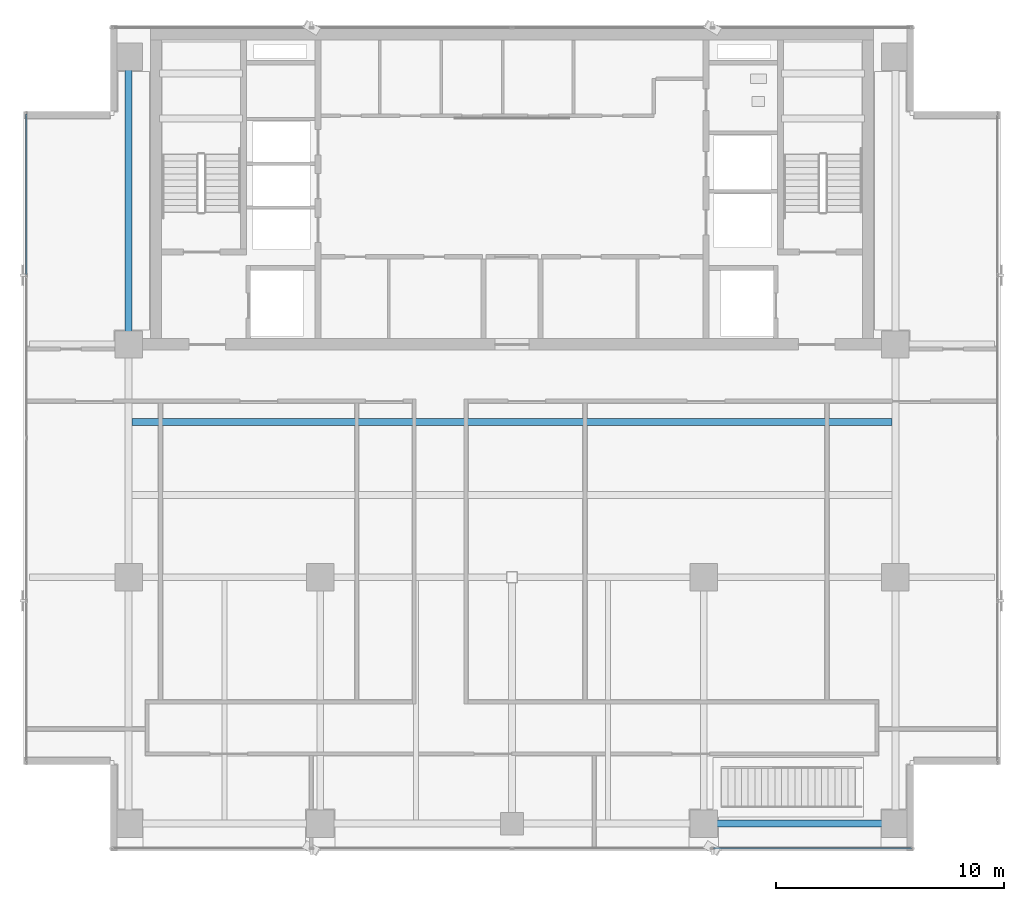
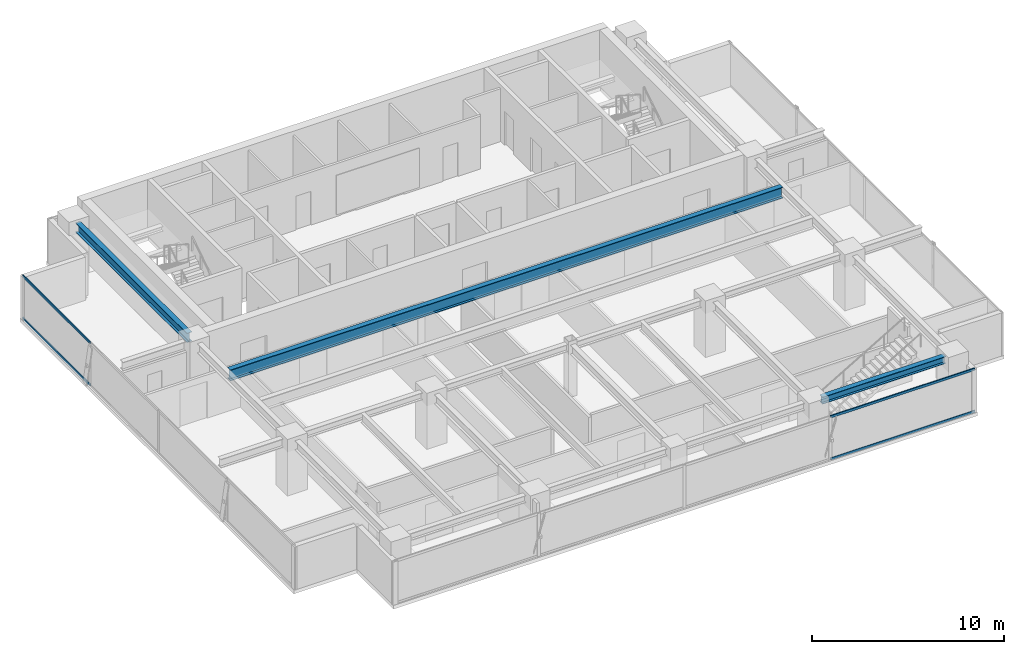
# One storey, part 7 of 22: 4 members, 3 beams, 2 elements without a shape of their own.
"""IFC4 building model written with IfcOpenShell, lengths in metres."""

from ifc_helpers import new_model, si_unit, direction, frame, origin, origin_2d, place, context, subcontext, project, spatial, hollow_rectangle, i_section, extrude, source, transform, mapped, material, layer, layer_set, material_profile, profile_set, type_object, element, aggregate, save


model = new_model("IFC4")

# Units and contexts
model_context = context("Model", 3, precision=1e-05, world=origin(), true_north=direction((0.0, 1.0)))
body_context = subcontext(model_context, "Body", "Model", "MODEL_VIEW")
ifc_project = project(units=[si_unit("LENGTHUNIT", "METRE"), si_unit("AREAUNIT", "SQUARE_METRE"), si_unit("VOLUMEUNIT", "CUBIC_METRE"), si_unit("PLANEANGLEUNIT", "RADIAN"), si_unit("MASSUNIT", "GRAM", prefix="KILO")], contexts=[model_context])

# Site, building, storey
site_placement = place(None, origin())
site = spatial("IfcSite", under=ifc_project, at=site_placement, CompositionType="ELEMENT")
building_placement = place(site_placement, origin())
building = spatial("IfcBuilding", under=site, at=building_placement, Name="Sumidabori Civic Tower", CompositionType="ELEMENT")
storey_placement = place(building_placement, frame((0.0, 0.0, 286.39990234375)))
storey = spatial("IfcBuildingStorey", under=building, at=storey_placement, Name="L75", CompositionType="ELEMENT", Elevation=286.39990234375)

# Beams
ifc_material_1 = material(Name="Steel SN490", Category="steel")
ifc_material_profile_1 = material_profile(ifc_material_1, i_section(OverallWidth=0.300048828125, OverallDepth=0.60009765625, WebThickness=0.015380859375, FlangeThickness=0.030029296875, at=origin_2d()), Name="HE 600 B")
ifc_profile_set_1 = profile_set([ifc_material_profile_1], Name="Steel SN490")
beam_type_1 = type_object("IfcBeamType", Name="BM-GIRD-600", PredefinedType="BEAM", material=ifc_profile_set_1)
shared_shape_1 = source(origin(), body_context, "Body", "SweptSolid", [
    extrude(i_section(OverallWidth=0.300048828125, OverallDepth=0.60009765625, WebThickness=0.015380859375, FlangeThickness=0.030029296875, at=origin_2d()), origin(), (0.0, 0.0, 1.0), 11.64013671875),
])
beam_1_placement = place(storey_placement, frame((-16.800048828125, 10.679931640625, 3.070068359375), z_axis=(0.0, 1.0, 0.0), x_axis=(-1.0, 0.0, 0.0)))
element("IfcBeam", 1, at=beam_1_placement, inside=storey, type_object=beam_type_1, Name="Primary Girder L75 GY-11", PredefinedType="BEAM", context=body_context, shape_type="MappedRepresentation", body=[
    mapped(shared_shape_1, transform((0.0, 0.0, 0.0), x_axis=(1.0, 0.0, 0.0), y_axis=(0.0, 1.0, 0.0), z_axis=(0.0, 0.0, 1.0), scale=1.0)),
])
ifc_material_profile_2 = material_profile(ifc_material_1, i_section(OverallWidth=0.300048828125, OverallDepth=0.699951171875, WebThickness=0.01708984375, FlangeThickness=0.031982421875, at=origin_2d()), Name="HE 700 B")
ifc_profile_set_2 = profile_set([ifc_material_profile_2], Name="Steel SN490")
beam_type_2 = type_object("IfcBeamType", Name="BM-GIRD-700", PredefinedType="BEAM", material=ifc_profile_set_2)
shared_shape_2 = source(origin(), body_context, "Body", "SweptSolid", [
    extrude(i_section(OverallWidth=0.300048828125, OverallDepth=0.699951171875, WebThickness=0.01708984375, FlangeThickness=0.031982421875, at=origin_2d()), origin(), (0.0, 0.0, 1.0), 33.2998046875),
])
beam_2_placement = place(storey_placement, frame((-16.64990234375, 6.800048828125, 3.02001953125), z_axis=(1.0, 0.0, 0.0), x_axis=(0.0, 1.0, 0.0)))
element("IfcBeam", 2, at=beam_2_placement, inside=storey, type_object=beam_type_2, Name="North Bay Floor Beam L75 JSTN-23", PredefinedType="BEAM", context=body_context, shape_type="MappedRepresentation", body=[
    mapped(shared_shape_2, transform((0.0, 0.0, 0.0), x_axis=(1.0, 0.0, 0.0), y_axis=(0.0, 1.0, 0.0), z_axis=(0.0, 0.0, 1.0), scale=1.0)),
])
ifc_material_profile_3 = material_profile(ifc_material_1, i_section(OverallWidth=0.300048828125, OverallDepth=0.449951171875, WebThickness=0.013916015625, FlangeThickness=0.02587890625, at=origin_2d()), Name="HE 450 B")
ifc_profile_set_3 = profile_set([ifc_material_profile_3], Name="Steel SN490")
beam_type_3 = type_object("IfcBeamType", Name="BM-GIRD-450", PredefinedType="BEAM", material=ifc_profile_set_3)
shared_shape_3 = source(origin(), body_context, "Body", "SweptSolid", [
    extrude(i_section(OverallWidth=0.300048828125, OverallDepth=0.449951171875, WebThickness=0.013916015625, FlangeThickness=0.02587890625, at=origin_2d()), origin(), (0.0, 0.0, 1.0), 7.440185546875),
])
beam_3_placement = place(storey_placement, frame((8.8798828125, -10.800048828125, 3.14501953125), z_axis=(1.0, 0.0, 0.0), x_axis=(0.0, 1.0, 0.0)))
element("IfcBeam", 3, at=beam_3_placement, inside=storey, type_object=beam_type_3, Name="Primary Girder L75 GX-04", PredefinedType="BEAM", context=body_context, shape_type="MappedRepresentation", body=[
    mapped(shared_shape_3, transform((0.0, 0.0, 0.0), x_axis=(1.0, 0.0, 0.0), y_axis=(0.0, 1.0, 0.0), z_axis=(0.0, 0.0, 1.0), scale=1.0)),
])

# Curtain wall, members
ifc_material_2 = material(Name="Anodised Bronze Aluminium AW-6063-T6", Category="aluminium")
ifc_layer = layer(ifc_material_2, 0.179931640625, Name="Anodised Bronze Aluminium AW-6063-T6")
ifc_layer_set = layer_set([ifc_layer], Name="Anodised Bronze Aluminium AW-6063-T6")
curtain_wall_type = type_object("IfcCurtainWallType", Name="CW-SYS-6", PredefinedType="NOTDEFINED", material=ifc_layer_set)
curtain_wall_1_placement = place(storey_placement, origin())
curtain_wall_1 = element("IfcCurtainWall", 4, at=curtain_wall_1_placement, inside=storey, type_object=curtain_wall_type, Name="Curtain Wall CW:L75:R01", PredefinedType="NOTDEFINED")
ifc_material_profile_4 = material_profile(ifc_material_2, hollow_rectangle(XDim=0.06494140625, YDim=0.14990234375, WallThickness=0.0048828125, at=origin_2d()), Name="ALU TRANSOM 150x65")
ifc_profile_set_4 = profile_set([ifc_material_profile_4], Name="Anodised Bronze Aluminium AW-6063-T6")
member_type = type_object("IfcMemberType", Name="CW-TRN-150", PredefinedType="USERDEFINED", material=ifc_profile_set_4)
shared_shape_4 = source(origin(), body_context, "Body", "SweptSolid", [
    extrude(hollow_rectangle(XDim=0.06494140625, YDim=0.14990234375, WallThickness=0.0048828125, at=origin_2d()), origin(), (0.0, 0.0, 1.0), 8.679931640625),
])
member_1_placement = place(storey_placement, frame((8.820068359375, -11.8798828125, 0.03271484375), z_axis=(1.0, 0.0, 0.0), x_axis=(0.0, 1.0, 0.0)))
member_1 = element("IfcMember", 5, at=member_1_placement, type_object=member_type, Name="CW-6 transom 4.1", ObjectType="TRANSOM", PredefinedType="USERDEFINED", context=body_context, shape_type="MappedRepresentation", body=[
    mapped(shared_shape_4, transform((0.0, 0.0, 0.0), x_axis=(1.0, 0.0, 0.0), y_axis=(0.0, 1.0, 0.0), z_axis=(0.0, 0.0, 1.0), scale=1.0)),
])
member_2_placement = place(storey_placement, frame((8.820068359375, -11.8798828125, 2.717529296875), z_axis=(1.0, 0.0, 0.0), x_axis=(0.0, 1.0, 0.0)))
member_2 = element("IfcMember", 6, at=member_2_placement, type_object=member_type, Name="CW-6 transom 4.2", ObjectType="TRANSOM", PredefinedType="USERDEFINED", context=body_context, shape_type="MappedRepresentation", body=[
    mapped(shared_shape_4, transform((0.0, 0.0, 0.0), x_axis=(1.0, 0.0, 0.0), y_axis=(0.0, 1.0, 0.0), z_axis=(0.0, 0.0, 1.0), scale=1.0)),
])
aggregate(curtain_wall_1, [member_1, member_2])

curtain_wall_2_placement = place(storey_placement, origin())
curtain_wall_2 = element("IfcCurtainWall", 7, at=curtain_wall_2_placement, inside=storey, type_object=curtain_wall_type, Name="Curtain Wall CW:L75:R10", PredefinedType="NOTDEFINED")
shared_shape_5 = source(origin(), body_context, "Body", "SweptSolid", [
    extrude(hollow_rectangle(XDim=0.06494140625, YDim=0.14990234375, WallThickness=0.0048828125, at=origin_2d()), origin(), (0.0, 0.0, 1.0), 7.030029296875),
])
member_3_placement = place(storey_placement, frame((-21.280029296875, 20.300048828125, 0.03271484375), z_axis=(0.0, -1.0, 0.0), x_axis=(1.0, 0.0, 0.0)))
member_3 = element("IfcMember", 8, at=member_3_placement, type_object=member_type, Name="CW-6 transom 1.1", ObjectType="TRANSOM", PredefinedType="USERDEFINED", context=body_context, shape_type="MappedRepresentation", body=[
    mapped(shared_shape_5, transform((0.0, 0.0, 0.0), x_axis=(1.0, 0.0, 0.0), y_axis=(0.0, 1.0, 0.0), z_axis=(0.0, 0.0, 1.0), scale=1.0)),
])
member_4_placement = place(storey_placement, frame((-21.280029296875, 20.300048828125, 2.717529296875), z_axis=(0.0, -1.0, 0.0), x_axis=(1.0, 0.0, 0.0)))
member_4 = element("IfcMember", 9, at=member_4_placement, type_object=member_type, Name="CW-6 transom 1.2", ObjectType="TRANSOM", PredefinedType="USERDEFINED", context=body_context, shape_type="MappedRepresentation", body=[
    mapped(shared_shape_5, transform((0.0, 0.0, 0.0), x_axis=(1.0, 0.0, 0.0), y_axis=(0.0, 1.0, 0.0), z_axis=(0.0, 0.0, 1.0), scale=1.0)),
])
aggregate(curtain_wall_2, [member_3, member_4])

save(model, "model.ifc")
